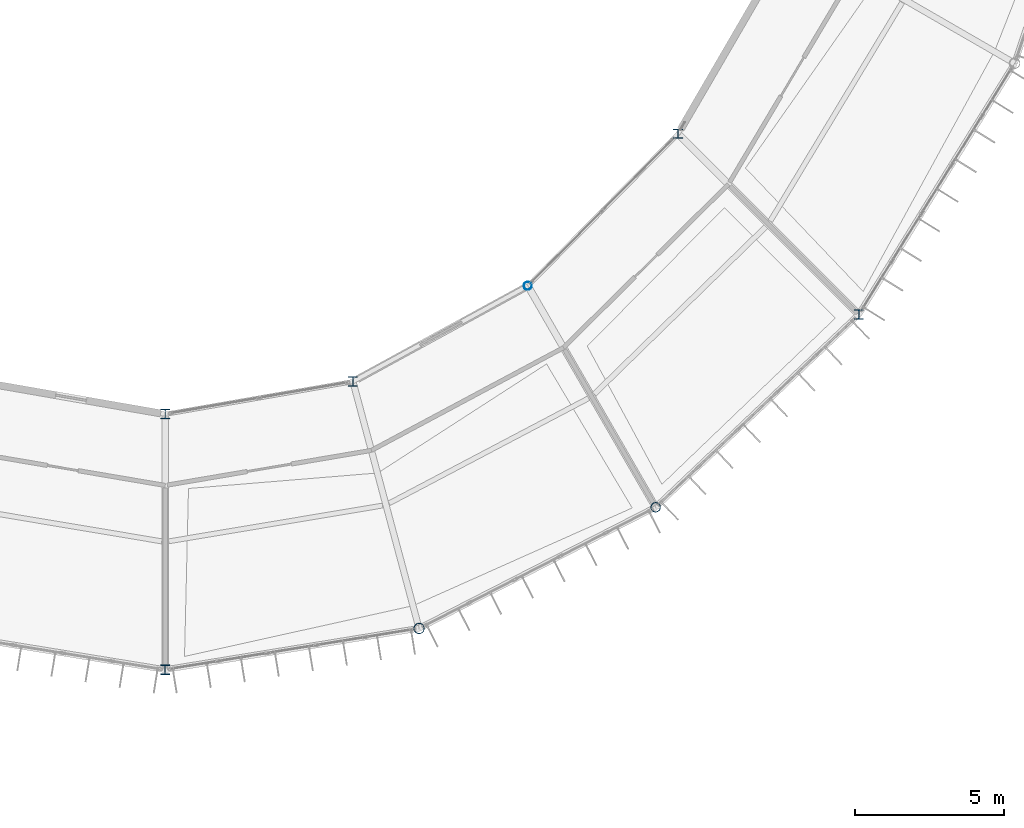
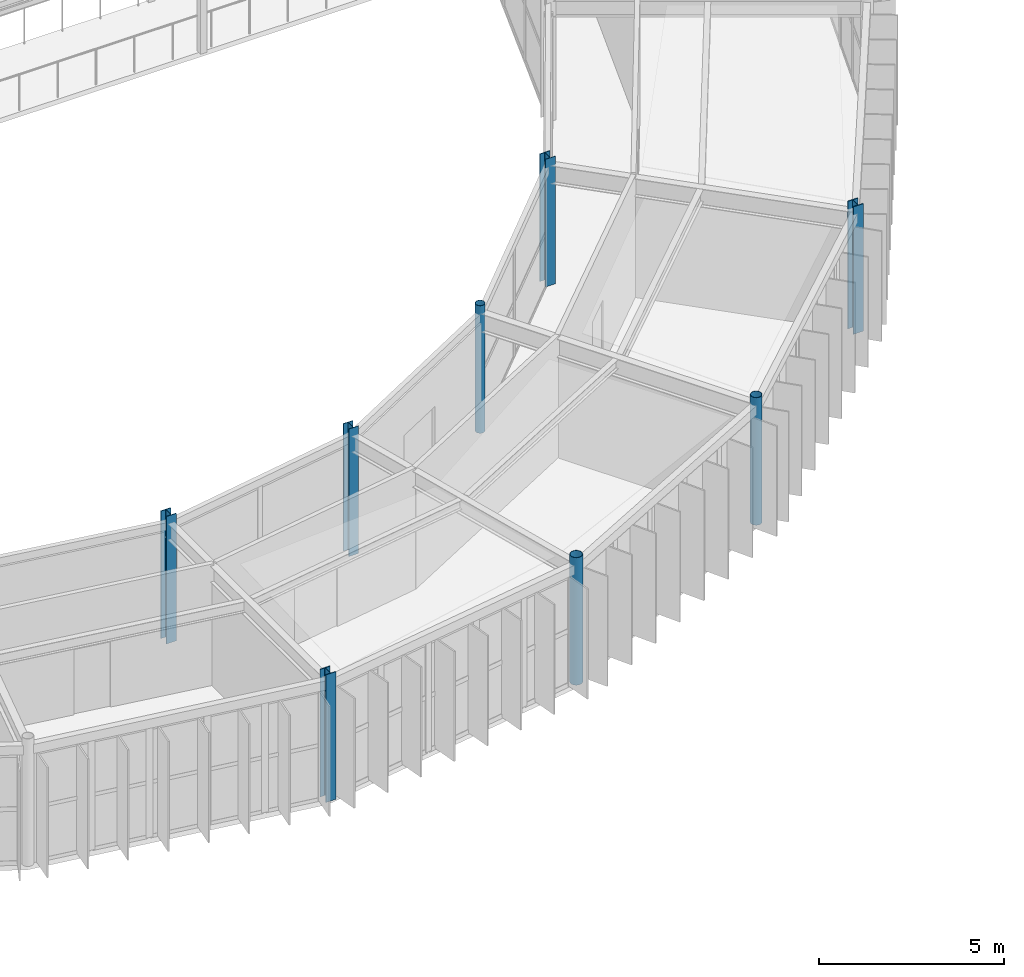
# One storey, part 7 of 147: 8 columns.
"""IFC4 building model written with IfcOpenShell, lengths in metres."""

from ifc_helpers import new_model, si_unit, direction, frame, origin, origin_2d, place, context, subcontext, project, spatial, hollow_circle, i_section, extrude, material, material_profile, profile_set, type_object, element, save


model = new_model("IFC4")

# Units and contexts
model_context = context("Model", 3, precision=1e-05, world=origin(), true_north=direction((0.0, 1.0)))
body_context = subcontext(model_context, "Body", "Model", "MODEL_VIEW")
ifc_project = project(units=[si_unit("LENGTHUNIT", "METRE"), si_unit("AREAUNIT", "SQUARE_METRE"), si_unit("VOLUMEUNIT", "CUBIC_METRE"), si_unit("PLANEANGLEUNIT", "RADIAN"), si_unit("MASSUNIT", "GRAM", prefix="KILO")], contexts=[model_context])

# Site, building, storey
site_placement = place(None, origin())
site = spatial("IfcSite", under=ifc_project, at=site_placement, CompositionType="ELEMENT")
building_placement = place(site_placement, origin())
building = spatial("IfcBuilding", under=site, at=building_placement, Name="Karori Crest Natural Sciences Institute", CompositionType="ELEMENT")
storey_placement = place(building_placement, frame((0.0, 0.0, 9.10009765625)))
storey = spatial("IfcBuildingStorey", under=building, at=storey_placement, Name="L02", CompositionType="ELEMENT", Elevation=9.10009765625)

# Columns
ifc_material_1 = material(Name="Structural steel AS/NZS 3679.1 Grade 350", Category="steel")
ifc_material_profile_1 = material_profile(ifc_material_1, i_section(OverallWidth=0.31103515625, OverallDepth=0.326904296875, WebThickness=0.015625, FlangeThickness=0.02490234375, FilletRadius=0.01708984375, at=origin_2d()), Name="310UC158")
ifc_profile_set_1 = profile_set([ifc_material_profile_1], Name="Structural steel AS/NZS 3679.1 Grade 350")
column_type_1 = type_object("IfcColumnType", Name="CT-04", PredefinedType="COLUMN", material=ifc_profile_set_1)
for number, where, z_axis, x_axis, name in (
    (1, (66.39990234375, 9.10009765625, 0.0), (0.0, 0.0, 1.0), (1.0, 0.0, 0.0), "Column C-0303"),
    (2, (89.734619140625, 21.050048828125, 0.0), (0.0, 0.0, 1.0), (1.0, 0.0, 0.0), "Column C-0351"),
):
    element("IfcColumn", number, at=place(storey_placement, frame(where, z_axis=z_axis, x_axis=x_axis)), inside=storey, type_object=column_type_1, Name=name, PredefinedType="COLUMN", context=body_context, shape_type="SweptSolid", body=[
        extrude(i_section(OverallWidth=0.31103515625, OverallDepth=0.326904296875, WebThickness=0.015625, FlangeThickness=0.02490234375, FilletRadius=0.01708984375, at=origin_2d()), origin(), (0.0, 0.0, 1.0), 4.199951171875),
    ])
ifc_material_profile_2 = material_profile(ifc_material_1, i_section(OverallWidth=0.306884765625, OverallDepth=0.31494140625, WebThickness=0.011962890625, FlangeThickness=0.018798828125, FilletRadius=0.01708984375, at=origin_2d()), Name="310UC118")
ifc_profile_set_2 = profile_set([ifc_material_profile_2], Name="Structural steel AS/NZS 3679.1 Grade 350")
column_type_2 = type_object("IfcColumnType", Name="CT-05", PredefinedType="COLUMN", material=ifc_profile_set_2)
for number, where, z_axis, x_axis, name in (
    (3, (66.39990234375, 17.699951171875, 0.0), (0.0, 0.0, 1.0), (1.0, 0.0, 0.0), "Column C-0304"),
    (4, (83.6533203125, 27.131103515625, 0.0), (0.0, 0.0, 1.0), (1.0, 0.0, 0.0), "Column C-0352"),
):
    element("IfcColumn", number, at=place(storey_placement, frame(where, z_axis=z_axis, x_axis=x_axis)), inside=storey, type_object=column_type_2, Name=name, PredefinedType="COLUMN", context=body_context, shape_type="SweptSolid", body=[
        extrude(i_section(OverallWidth=0.306884765625, OverallDepth=0.31494140625, WebThickness=0.011962890625, FlangeThickness=0.018798828125, FilletRadius=0.01708984375, at=origin_2d()), origin(), (0.0, 0.0, 1.0), 4.199951171875),
    ])
ifc_material_2 = material(Name="Hollow structural steel AS/NZS 1163 Grade C350", Category="steel")
ifc_material_profile_3 = material_profile(ifc_material_2, hollow_circle(Radius=0.177734375, WallThickness=0.0126953125, at=origin_2d()), Name="CHS355.6x12.7")
ifc_profile_set_3 = profile_set([ifc_material_profile_3], Name="Hollow structural steel AS/NZS 1163 Grade C350")
column_type_3 = type_object("IfcColumnType", Name="CT-14", PredefinedType="COLUMN", material=ifc_profile_set_3)
column_1_placement = place(storey_placement, frame((74.94091796875, 10.490234375, 0.0), z_axis=(0.0, 0.0, 1.0), x_axis=(1.0, 0.0, 0.0)))
element("IfcColumn", 5, at=column_1_placement, inside=storey, type_object=column_type_3, Name="Column C-0319", PredefinedType="COLUMN", context=body_context, shape_type="SweptSolid", body=[
    extrude(hollow_circle(Radius=0.177734375, WallThickness=0.0126953125, at=origin_2d()), origin(), (0.0, 0.0, 1.0), 4.199951171875),
])
ifc_material_profile_4 = material_profile(ifc_material_2, hollow_circle(Radius=0.161865234375, WallThickness=0.0126953125, at=origin_2d()), Name="CHS323.9x12.7")
ifc_profile_set_4 = profile_set([ifc_material_profile_4], Name="Hollow structural steel AS/NZS 1163 Grade C350")
column_type_4 = type_object("IfcColumnType", Name="CT-15", PredefinedType="COLUMN", material=ifc_profile_set_4)
column_2_placement = place(storey_placement, frame((82.89990234375, 14.566162109375, 0.0), z_axis=(0.0, 0.0, 1.0), x_axis=(1.0, 0.0, 0.0)))
element("IfcColumn", 6, at=column_2_placement, inside=storey, type_object=column_type_4, Name="Column C-0335", PredefinedType="COLUMN", context=body_context, shape_type="SweptSolid", body=[
    extrude(hollow_circle(Radius=0.161865234375, WallThickness=0.0126953125, at=origin_2d()), origin(), (0.0, 0.0, 1.0), 4.199951171875),
])
ifc_material_profile_5 = material_profile(ifc_material_2, hollow_circle(Radius=0.136474609375, WallThickness=0.00927734375, at=origin_2d()), Name="CHS273.0x9.3")
ifc_profile_set_5 = profile_set([ifc_material_profile_5], Name="Hollow structural steel AS/NZS 1163 Grade C350")
column_type_5 = type_object("IfcColumnType", Name="CT-16", PredefinedType="COLUMN", material=ifc_profile_set_5)
column_3_placement = place(storey_placement, frame((78.60009765625, 22.013916015625, 0.0), z_axis=(0.0, 0.0, 1.0), x_axis=(1.0, 0.0, 0.0)))
element("IfcColumn", 7, at=column_3_placement, inside=storey, type_object=column_type_5, Name="Column C-0336", PredefinedType="COLUMN", context=body_context, shape_type="SweptSolid", body=[
    extrude(hollow_circle(Radius=0.136474609375, WallThickness=0.00927734375, at=origin_2d()), origin(), (0.0, 0.0, 1.0), 4.199951171875),
])
ifc_material_profile_6 = material_profile(ifc_material_1, i_section(OverallWidth=0.304931640625, OverallDepth=0.30810546875, WebThickness=0.010009765625, FlangeThickness=0.015380859375, FilletRadius=0.01708984375, at=origin_2d()), Name="310UC96.8")
ifc_profile_set_6 = profile_set([ifc_material_profile_6], Name="Structural steel AS/NZS 3679.1 Grade 350")
column_type_6 = type_object("IfcColumnType", Name="CT-25", PredefinedType="COLUMN", material=ifc_profile_set_6)
column_4_placement = place(storey_placement, frame((72.715087890625, 18.797119140625, 0.0), z_axis=(0.0, 0.0, 1.0), x_axis=(1.0, 0.0, 0.0)))
element("IfcColumn", 8, at=column_4_placement, inside=storey, type_object=column_type_6, Name="Column C-0320", PredefinedType="COLUMN", context=body_context, shape_type="SweptSolid", body=[
    extrude(i_section(OverallWidth=0.304931640625, OverallDepth=0.30810546875, WebThickness=0.010009765625, FlangeThickness=0.015380859375, FilletRadius=0.01708984375, at=origin_2d()), origin(), (0.0, 0.0, 1.0), 4.199951171875),
])

save(model, "model.ifc")
